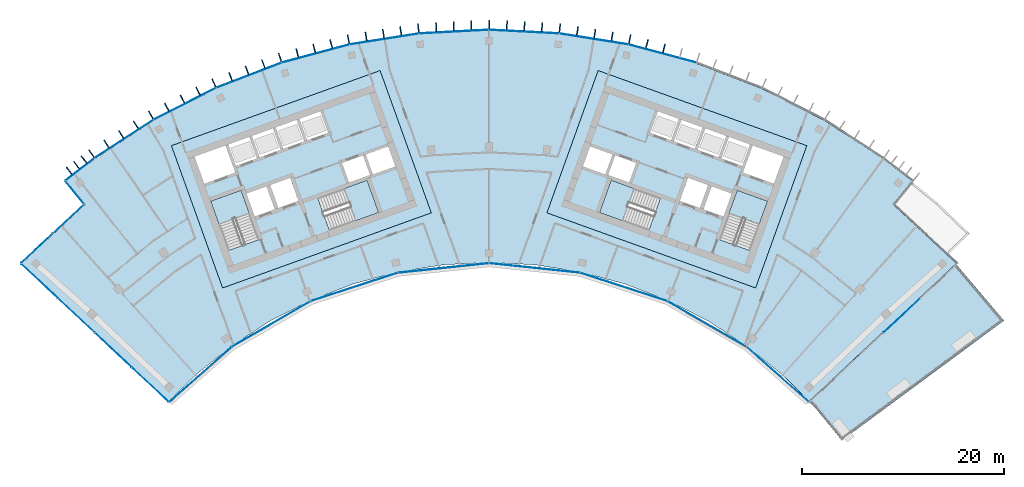
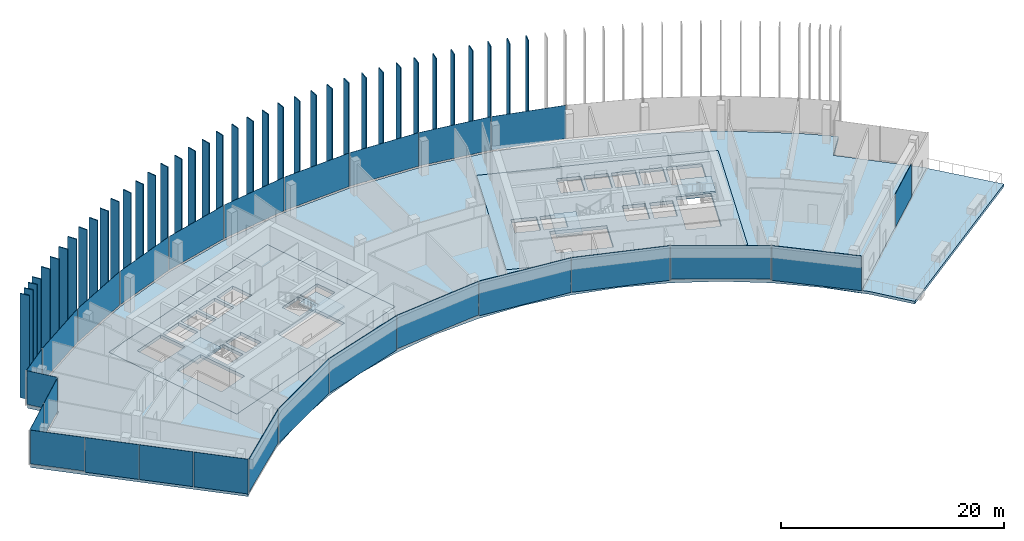
# One storey, part 11 of 19: 64 plates, 8 slabs, 10 elements without a shape of their own.
"""IFC4 building model written with IfcOpenShell, lengths in metres."""

from ifc_helpers import new_model, si_unit, direction, frame, origin, origin_2d, place, context, subcontext, project, spatial, polyline, rectangle, outline, extrude, material, layer, layer_set, type_object, element, aggregate, save


model = new_model("IFC4")

# Units and contexts
model_context = context("Model", 3, precision=1e-05, world=origin(), true_north=direction((0.0, 1.0)))
body_context = subcontext(model_context, "Body", "Model", "MODEL_VIEW")
ifc_project = project(units=[si_unit("LENGTHUNIT", "METRE"), si_unit("AREAUNIT", "SQUARE_METRE"), si_unit("VOLUMEUNIT", "CUBIC_METRE"), si_unit("PLANEANGLEUNIT", "RADIAN"), si_unit("MASSUNIT", "GRAM", prefix="KILO")], contexts=[model_context])

# Site, building, storey
site_placement = place(None, origin())
site = spatial("IfcSite", under=ifc_project, at=site_placement, CompositionType="ELEMENT")
building_placement = place(site_placement, origin())
building = spatial("IfcBuilding", under=site, at=building_placement, Name="Stone Belt Terrace Tower", CompositionType="ELEMENT")
storey_placement = place(building_placement, frame((0.0, 0.0, 258.0)))
storey = spatial("IfcBuildingStorey", under=building, at=storey_placement, Name="L62", CompositionType="ELEMENT", Elevation=258.0)

# Curtain wall, plates
ifc_material_1 = material(Name="Aluminium 6063-T6 anodised frame", Category="aluminium")
ifc_layer_1 = layer(ifc_material_1, 0.14990234375)
ifc_layer_set_1 = layer_set([ifc_layer_1], Name="CW-A unitised convex-face curtain wall")
curtain_wall_type_1 = type_object("IfcCurtainWallType", Name="CW-A unitised convex-face curtain wall", PredefinedType="NOTDEFINED", material=ifc_layer_set_1)
curtain_wall_1_placement = place(storey_placement, origin())
curtain_wall_1 = element("IfcCurtainWall", 1, at=curtain_wall_1_placement, inside=storey, type_object=curtain_wall_type_1, Name="CW-A convex face L62", PredefinedType="NOTDEFINED")
ifc_material_2 = material(Name="Clear double glazed unit")
ifc_layer_2 = layer(ifc_material_2, 0.031982421875)
ifc_layer_set_2 = layer_set([ifc_layer_2], Name="CW-A glass panel 32")
plate_type_1 = type_object("IfcPlateType", Name="CW-A glass panel 32", PredefinedType="CURTAIN_PANEL", material=ifc_layer_set_2)
plate_1_placement = place(storey_placement, frame((17.207275390625, 64.218505859375, 0.14013671875), z_axis=(0.0, 0.0, 1.0), x_axis=(-0.965925826289, 0.258819045103, 0.0)))
plate_1 = element("IfcPlate", 2, at=plate_1_placement, type_object=plate_type_1, Name="CW-A panel 5.1", PredefinedType="CURTAIN_PANEL", context=body_context, shape_type="SweptSolid", body=[
    extrude(rectangle(XDim=6.90087890625, YDim=0.031982421875, at=origin_2d()), origin(), (0.0, 0.0, 1.0), 3.659912109375),
])
plate_2_placement = place(storey_placement, frame((10.400390625, 65.665283203125, 0.14013671875), z_axis=(0.0, 0.0, 1.0), x_axis=(-0.987688340595, 0.15643446504, 0.0)))
plate_2 = element("IfcPlate", 3, at=plate_2_placement, type_object=plate_type_1, Name="CW-A panel 6.1", PredefinedType="CURTAIN_PANEL", context=body_context, shape_type="SweptSolid", body=[
    extrude(rectangle(XDim=6.90087890625, YDim=0.031982421875, at=origin_2d()), origin(), (0.0, 0.0, 1.0), 3.659912109375),
])
plate_3_placement = place(storey_placement, frame((3.4794921875, 66.392822265625, 0.14013671875), z_axis=(0.0, 0.0, 1.0), x_axis=(-0.998629534755, 0.052335956243, 0.0)))
plate_3 = element("IfcPlate", 4, at=plate_3_placement, type_object=plate_type_1, Name="CW-A panel 7.1", PredefinedType="CURTAIN_PANEL", context=body_context, shape_type="SweptSolid", body=[
    extrude(rectangle(XDim=6.90087890625, YDim=0.031982421875, at=origin_2d()), origin(), (0.0, 0.0, 1.0), 3.659912109375),
])
plate_4_placement = place(storey_placement, frame((-3.4794921875, 66.392822265625, 0.14013671875), z_axis=(0.0, 0.0, 1.0), x_axis=(-0.998629534755, -0.052335956243, 0.0)))
plate_4 = element("IfcPlate", 5, at=plate_4_placement, type_object=plate_type_1, Name="CW-A panel 8.1", PredefinedType="CURTAIN_PANEL", context=body_context, shape_type="SweptSolid", body=[
    extrude(rectangle(XDim=6.90087890625, YDim=0.031982421875, at=origin_2d()), origin(), (0.0, 0.0, 1.0), 3.659912109375),
])
plate_5_placement = place(storey_placement, frame((-10.400390625, 65.665283203125, 0.14013671875), z_axis=(0.0, 0.0, 1.0), x_axis=(-0.987688340595, -0.15643446504, 0.0)))
plate_5 = element("IfcPlate", 6, at=plate_5_placement, type_object=plate_type_1, Name="CW-A panel 9.1", PredefinedType="CURTAIN_PANEL", context=body_context, shape_type="SweptSolid", body=[
    extrude(rectangle(XDim=6.90087890625, YDim=0.031982421875, at=origin_2d()), origin(), (0.0, 0.0, 1.0), 3.659912109375),
])
plate_6_placement = place(storey_placement, frame((-17.207275390625, 64.218505859375, 0.14013671875), z_axis=(0.0, 0.0, 1.0), x_axis=(-0.965925826289, -0.258819045103, 0.0)))
plate_6 = element("IfcPlate", 7, at=plate_6_placement, type_object=plate_type_1, Name="CW-A panel 10.1", PredefinedType="CURTAIN_PANEL", context=body_context, shape_type="SweptSolid", body=[
    extrude(rectangle(XDim=6.90087890625, YDim=0.031982421875, at=origin_2d()), origin(), (0.0, 0.0, 1.0), 3.659912109375),
])
plate_7_placement = place(storey_placement, frame((-23.82568359375, 62.068115234375, 0.14013671875), z_axis=(0.0, 0.0, 1.0), x_axis=(-0.933580426497, -0.358367949545, 0.0)))
plate_7 = element("IfcPlate", 8, at=plate_7_placement, type_object=plate_type_1, Name="CW-A panel 11.1", PredefinedType="CURTAIN_PANEL", context=body_context, shape_type="SweptSolid", body=[
    extrude(rectangle(XDim=6.90087890625, YDim=0.031982421875, at=origin_2d()), origin(), (0.0, 0.0, 1.0), 3.659912109375),
])
plate_8_placement = place(storey_placement, frame((-30.18310546875, 59.237548828125, 0.14013671875), z_axis=(0.0, 0.0, 1.0), x_axis=(-0.891006524188, -0.45399049974, 0.0)))
plate_8 = element("IfcPlate", 9, at=plate_8_placement, type_object=plate_type_1, Name="CW-A panel 12.1", PredefinedType="CURTAIN_PANEL", context=body_context, shape_type="SweptSolid", body=[
    extrude(rectangle(XDim=6.90087890625, YDim=0.031982421875, at=origin_2d()), origin(), (0.0, 0.0, 1.0), 3.659912109375),
])
plate_9_placement = place(storey_placement, frame((-36.209716796875, 55.758056640625, 0.14013671875), z_axis=(0.0, 0.0, 1.0), x_axis=(-0.838670567945, -0.544639035015, 0.0)))
plate_9 = element("IfcPlate", 10, at=plate_9_placement, type_object=plate_type_1, Name="CW-A panel 13.1", PredefinedType="CURTAIN_PANEL", context=body_context, shape_type="SweptSolid", body=[
    extrude(rectangle(XDim=6.900634765625, YDim=0.031982421875, at=origin_2d()), origin(), (0.0, 0.0, 1.0), 3.659912109375),
])
plate_10_placement = place(storey_placement, frame((-40.583251953125, 52.744140625, 0.14013671875), z_axis=(0.0, 0.0, 1.0), x_axis=(-0.792693871824, -0.60961990254, 0.0)))
plate_10 = element("IfcPlate", 11, at=plate_10_placement, type_object=plate_type_1, Name="CW-A panel 14.1", PredefinedType="CURTAIN_PANEL", context=body_context, shape_type="SweptSolid", body=[
    extrude(rectangle(XDim=3.597900390625, YDim=0.031982421875, at=origin_2d()), origin(), (0.0, 0.0, 1.0), 3.659912109375),
])
aggregate(curtain_wall_1, [plate_1, plate_2, plate_3, plate_4, plate_5, plate_6, plate_7, plate_8, plate_9, plate_10])

ifc_layer_3 = layer(ifc_material_1, 0.14990234375)
ifc_layer_set_3 = layer_set([ifc_layer_3], Name="CW-B unitised concave-face curtain wall")
curtain_wall_type_2 = type_object("IfcCurtainWallType", Name="CW-B unitised concave-face curtain wall", PredefinedType="NOTDEFINED", material=ifc_layer_set_3)
curtain_wall_2_placement = place(storey_placement, origin())
curtain_wall_2 = element("IfcCurtainWall", 12, at=curtain_wall_2_placement, inside=storey, type_object=curtain_wall_type_2, Name="CW-B concave face L62", PredefinedType="NOTDEFINED")
ifc_layer_4 = layer(ifc_material_2, 0.030029296875)
ifc_layer_set_4 = layer_set([ifc_layer_4], Name="CW-B glass panel 30")
plate_type_2 = type_object("IfcPlateType", Name="CW-B glass panel 30", PredefinedType="CURTAIN_PANEL", material=ifc_layer_set_4)
plate_11_placement = place(storey_placement, frame((-28.624755859375, 32.39404296875, 0.1201171875), z_axis=(0.0, 0.0, 1.0), x_axis=(0.749658646805, 0.661824684694, 0.0)))
plate_11 = element("IfcPlate", 13, at=plate_11_placement, type_object=plate_type_2, Name="CW-B panel 1.1", PredefinedType="CURTAIN_PANEL", context=body_context, shape_type="SweptSolid", body=[
    extrude(rectangle(XDim=8.2060546875, YDim=0.030029296875, at=origin_2d()), origin(), (0.0, 0.0, 1.0), 3.679931640625),
])
plate_12_placement = place(storey_placement, frame((-21.59375, 37.400634765625, 0.0), z_axis=(0.0, 0.0, 1.0), x_axis=(0.866025403784, 0.5, 0.0)))
plate_12 = element("IfcPlate", 14, at=plate_12_placement, type_object=plate_type_2, Name="CW-B panel 2.1", PredefinedType="CURTAIN_PANEL", context=body_context, shape_type="SweptSolid", body=[
    extrude(rectangle(XDim=9.013427734375, YDim=0.030029296875, at=origin_2d()), origin(), (0.0, 0.0, 1.0), 3.800048828125),
])
plate_13_placement = place(storey_placement, frame((-13.345458984375, 41.072998046875, 0.0), z_axis=(0.0, 0.0, 1.0), x_axis=(0.951056516295, 0.309016994375, 0.0)))
plate_13 = element("IfcPlate", 15, at=plate_13_placement, type_object=plate_type_2, Name="CW-B panel 3.1", PredefinedType="CURTAIN_PANEL", context=body_context, shape_type="SweptSolid", body=[
    extrude(rectangle(XDim=9.0126953125, YDim=0.030029296875, at=origin_2d()), origin(), (0.0, 0.0, 1.0), 3.800048828125),
])
plate_14_placement = place(storey_placement, frame((-4.51416015625, 42.9501953125, 0.1201171875), z_axis=(0.0, 0.0, 1.0), x_axis=(0.994521895368, 0.104528463268, 0.0)))
plate_14 = element("IfcPlate", 16, at=plate_14_placement, type_object=plate_type_2, Name="CW-B panel 4.1", PredefinedType="CURTAIN_PANEL", context=body_context, shape_type="SweptSolid", body=[
    extrude(rectangle(XDim=9.0126953125, YDim=0.030029296875, at=origin_2d()), origin(), (0.0, 0.0, 1.0), 3.679931640625),
])
plate_15_placement = place(storey_placement, frame((4.51416015625, 42.9501953125, 0.0), z_axis=(0.0, 0.0, 1.0), x_axis=(0.994521895368, -0.104528463268, 0.0)))
plate_15 = element("IfcPlate", 17, at=plate_15_placement, type_object=plate_type_2, Name="CW-B panel 5.1", PredefinedType="CURTAIN_PANEL", context=body_context, shape_type="SweptSolid", body=[
    extrude(rectangle(XDim=9.0126953125, YDim=0.030029296875, at=origin_2d()), origin(), (0.0, 0.0, 1.0), 3.800048828125),
])
plate_16_placement = place(storey_placement, frame((13.345458984375, 41.072998046875, 0.0), z_axis=(0.0, 0.0, 1.0), x_axis=(0.951056516295, -0.309016994375, 0.0)))
plate_16 = element("IfcPlate", 18, at=plate_16_placement, type_object=plate_type_2, Name="CW-B panel 6.1", PredefinedType="CURTAIN_PANEL", context=body_context, shape_type="SweptSolid", body=[
    extrude(rectangle(XDim=9.0126953125, YDim=0.030029296875, at=origin_2d()), origin(), (0.0, 0.0, 1.0), 3.800048828125),
])
plate_17_placement = place(storey_placement, frame((21.59375, 37.400634765625, 0.1201171875), z_axis=(0.0, 0.0, 1.0), x_axis=(0.866025403784, -0.5, 0.0)))
plate_17 = element("IfcPlate", 19, at=plate_17_placement, type_object=plate_type_2, Name="CW-B panel 7.1", PredefinedType="CURTAIN_PANEL", context=body_context, shape_type="SweptSolid", body=[
    extrude(rectangle(XDim=9.013427734375, YDim=0.030029296875, at=origin_2d()), origin(), (0.0, 0.0, 1.0), 3.679931640625),
])
plate_18_placement = place(storey_placement, frame((28.624755859375, 32.39404296875, 0.0), z_axis=(0.0, 0.0, 1.0), x_axis=(0.749658646805, -0.661824684694, 0.0)))
plate_18 = element("IfcPlate", 20, at=plate_18_placement, type_object=plate_type_2, Name="CW-B panel 8.1", PredefinedType="CURTAIN_PANEL", context=body_context, shape_type="SweptSolid", body=[
    extrude(rectangle(XDim=8.2060546875, YDim=0.030029296875, at=origin_2d()), origin(), (0.0, 0.0, 1.0), 3.800048828125),
])
aggregate(curtain_wall_2, [plate_11, plate_12, plate_13, plate_14, plate_15, plate_16, plate_17, plate_18])

# Curtain wall, plate
ifc_layer_5 = layer(ifc_material_1, 0.14990234375)
ifc_layer_set_5 = layer_set([ifc_layer_5], Name="CW-C stick curtain wall, horn ends and notches")
curtain_wall_type_3 = type_object("IfcCurtainWallType", Name="CW-C stick curtain wall, horn ends and notches", PredefinedType="NOTDEFINED", material=ifc_layer_set_5)
curtain_wall_3_placement = place(storey_placement, origin())
curtain_wall_3 = element("IfcCurtainWall", 21, at=curtain_wall_3_placement, inside=storey, type_object=curtain_wall_type_3, Name="CW-C notch face L62", PredefinedType="NOTDEFINED")
ifc_layer_6 = layer(ifc_material_2, 0.028076171875)
ifc_layer_set_6 = layer_set([ifc_layer_6], Name="CW-C glass panel 28")
plate_type_3 = type_object("IfcPlateType", Name="CW-C glass panel 28", PredefinedType="CURTAIN_PANEL", material=ifc_layer_set_6)
plate_19_placement = place(storey_placement, frame((-41.119140625, 50.43505859375, 0.1201171875), z_axis=(0.0, 0.0, 1.0), x_axis=(0.631001485542, -0.775781622136, 0.0)))
plate_19 = element("IfcPlate", 22, at=plate_19_placement, type_object=plate_type_3, Name="CW-C panel 1.1", PredefinedType="CURTAIN_PANEL", context=body_context, shape_type="SweptSolid", body=[
    extrude(rectangle(XDim=2.859130859375, YDim=0.028076171875, at=origin_2d()), origin(), (0.0, 0.0, 1.0), 3.679931640625),
])
aggregate(curtain_wall_3, [plate_19])

# Curtain wall, plates
curtain_wall_4_placement = place(storey_placement, origin())
curtain_wall_4 = element("IfcCurtainWall", 23, at=curtain_wall_4_placement, inside=storey, type_object=curtain_wall_type_3, Name="CW-C notch face L62", PredefinedType="NOTDEFINED")
plate_20_placement = place(storey_placement, frame((-41.731201171875, 47.814208984375, 0.1201171875), z_axis=(0.0, 0.0, 1.0), x_axis=(-0.731339333871, -0.682013767261, 0.0)))
plate_20 = element("IfcPlate", 24, at=plate_20_placement, type_object=plate_type_3, Name="CW-C panel 1.1", PredefinedType="CURTAIN_PANEL", context=body_context, shape_type="SweptSolid", body=[
    extrude(rectangle(XDim=4.12060546875, YDim=0.028076171875, at=origin_2d()), origin(), (0.0, 0.0, 1.0), 3.679931640625),
])
plate_21_placement = place(storey_placement, frame((-44.8427734375, 44.91259765625, 0.0), z_axis=(0.0, 0.0, 1.0), x_axis=(-0.731339333871, -0.682013767261, 0.0)))
plate_21 = element("IfcPlate", 25, at=plate_21_placement, type_object=plate_type_3, Name="CW-C panel 2.1", PredefinedType="CURTAIN_PANEL", context=body_context, shape_type="SweptSolid", body=[
    extrude(rectangle(XDim=4.268798828125, YDim=0.028076171875, at=origin_2d()), origin(), (0.0, 0.0, 1.0), 3.800048828125),
])
aggregate(curtain_wall_4, [plate_20, plate_21])

curtain_wall_5_placement = place(storey_placement, origin())
curtain_wall_5 = element("IfcCurtainWall", 26, at=curtain_wall_5_placement, inside=storey, type_object=curtain_wall_type_3, Name="CW-C end face L62", PredefinedType="NOTDEFINED")
plate_22_placement = place(storey_placement, frame((-44.588134765625, 41.65380859375, 0.1201171875), z_axis=(0.0, 0.0, 1.0), x_axis=(0.729904219708, -0.683549434973, 0.0)))
plate_22 = element("IfcPlate", 27, at=plate_22_placement, type_object=plate_type_3, Name="CW-C panel 1.1", PredefinedType="CURTAIN_PANEL", context=body_context, shape_type="SweptSolid", body=[
    extrude(rectangle(XDim=4.974853515625, YDim=0.028076171875, at=origin_2d()), origin(), (0.0, 0.0, 1.0), 3.679931640625),
])
plate_23_placement = place(storey_placement, frame((-40.92578125, 38.22412109375, 0.0), z_axis=(0.0, 0.0, 1.0), x_axis=(0.729904219708, -0.683549434973, 0.0)))
plate_23 = element("IfcPlate", 28, at=plate_23_placement, type_object=plate_type_3, Name="CW-C panel 2.1", PredefinedType="CURTAIN_PANEL", context=body_context, shape_type="SweptSolid", body=[
    extrude(rectangle(XDim=4.93994140625, YDim=0.028076171875, at=origin_2d()), origin(), (0.0, 0.0, 1.0), 3.800048828125),
])
plate_24_placement = place(storey_placement, frame((-37.2763671875, 34.806396484375, 0.0), z_axis=(0.0, 0.0, 1.0), x_axis=(0.729904219708, -0.683549434973, 0.0)))
plate_24 = element("IfcPlate", 29, at=plate_24_placement, type_object=plate_type_3, Name="CW-C panel 3.1", PredefinedType="CURTAIN_PANEL", context=body_context, shape_type="SweptSolid", body=[
    extrude(rectangle(XDim=4.93994140625, YDim=0.028076171875, at=origin_2d()), origin(), (0.0, 0.0, 1.0), 3.800048828125),
])
plate_25_placement = place(storey_placement, frame((-33.617431640625, 31.3798828125, 0.0), z_axis=(0.0, 0.0, 1.0), x_axis=(0.729904219708, -0.683549434973, 0.0)))
plate_25 = element("IfcPlate", 30, at=plate_25_placement, type_object=plate_type_3, Name="CW-C panel 4.1", PredefinedType="CURTAIN_PANEL", context=body_context, shape_type="SweptSolid", body=[
    extrude(rectangle(XDim=4.965576171875, YDim=0.028076171875, at=origin_2d()), origin(), (0.0, 0.0, 1.0), 3.800048828125),
])
aggregate(curtain_wall_5, [plate_22, plate_23, plate_24, plate_25])

# Curtain wall, plate
ifc_layer_7 = layer(ifc_material_1, 0.14990234375)
ifc_layer_set_7 = layer_set([ifc_layer_7], Name="CW-E conservatory and damper hall curtain wall")
curtain_wall_type_4 = type_object("IfcCurtainWallType", Name="CW-E conservatory and damper hall curtain wall", PredefinedType="NOTDEFINED", material=ifc_layer_set_7)
curtain_wall_6_placement = place(storey_placement, origin())
curtain_wall_6 = element("IfcCurtainWall", 31, at=curtain_wall_6_placement, inside=storey, type_object=curtain_wall_type_4, Name="CW-E end face L62", PredefinedType="NOTDEFINED")
ifc_layer_8 = layer(ifc_material_2, 0.035888671875)
ifc_layer_set_8 = layer_set([ifc_layer_8], Name="CW-E glass panel 36")
plate_type_4 = type_object("IfcPlateType", Name="CW-E glass panel 36", PredefinedType="CURTAIN_PANEL", material=ifc_layer_set_8)
plate_26_placement = place(storey_placement, frame((40.92578125, 38.22412109375, 0.150146484375), z_axis=(0.0, 0.0, 1.0), x_axis=(0.729904219708, 0.683549434973, 0.0)))
plate_26 = element("IfcPlate", 32, at=plate_26_placement, type_object=plate_type_4, Name="CW-E panel 3.1", PredefinedType="CURTAIN_PANEL", context=body_context, shape_type="SweptSolid", body=[
    extrude(rectangle(XDim=4.919921875, YDim=0.035888671875, at=origin_2d()), origin(), (0.0, 0.0, 1.0), 3.64990234375),
])
aggregate(curtain_wall_6, [plate_26])

# Slabs
ifc_material_3 = material(Name="Concrete B40", Category="concrete")
ifc_layer_9 = layer(ifc_material_3, 0.35009765625)
ifc_layer_set_9 = layer_set([ifc_layer_9], Name="Core floor slab 350")
slab_type_1 = type_object("IfcSlabType", Name="Core floor slab 350", PredefinedType="FLOOR", material=ifc_layer_set_9)
slab_1_placement = place(storey_placement, frame((0.0, 0.0, -0.35009765625)))
element("IfcSlab", 33, at=slab_1_placement, inside=storey, type_object=slab_type_1, Name="Core A floor L62", PredefinedType="FLOOR", context=body_context, shape_type="SweptSolid", body=[
    extrude(outline(polyline([(-26.43505859375, 40.968994140625), (-5.735107421875, 48.4189453125), (-10.81396484375, 62.531982421875), (-31.513916015625, 55.0830078125), (-26.43505859375, 40.968994140625)]), holes=[polyline([(-24.60791015625, 50.659912109375), (-22.847900390625, 45.76806640625), (-25.85888671875, 44.68408203125), (-27.618896484375, 49.575927734375), (-24.60791015625, 50.659912109375)]), polyline([(-22.0869140625, 51.035888671875), (-21.27392578125, 48.778076171875), (-23.25, 48.06689453125), (-24.06298828125, 50.324951171875), (-22.0869140625, 51.035888671875)]), polyline([(-19.735107421875, 51.883056640625), (-18.922119140625, 49.6240234375), (-20.89794921875, 48.9130859375), (-21.7109375, 51.1708984375), (-19.735107421875, 51.883056640625)]), polyline([(-29.2109375, 53.9990234375), (-26.153076171875, 55.09912109375), (-25.18798828125, 52.41796875), (-28.24609375, 51.31689453125), (-29.2109375, 53.9990234375)]), polyline([(-23.801025390625, 55.946044921875), (-23.0390625, 53.8291015625), (-25.10888671875, 53.083984375), (-25.87109375, 55.200927734375), (-23.801025390625, 55.946044921875)]), polyline([(-23.51806640625, 56.047119140625), (-21.447998046875, 56.7919921875), (-20.68603515625, 54.675048828125), (-22.756103515625, 53.929931640625), (-23.51806640625, 56.047119140625)]), polyline([(-15.846923828125, 46.69189453125), (-16.998046875, 49.89208984375), (-12.10595703125, 51.652099609375), (-10.955078125, 48.452880859375), (-15.846923828125, 46.69189453125)]), polyline([(-11.847900390625, 52.116943359375), (-11.864990234375, 52.1640625), (-13.887939453125, 51.43603515625), (-14.58203125, 53.364990234375), (-12.511962890625, 54.110107421875), (-11.801025390625, 52.134033203125), (-11.847900390625, 52.116943359375)]), polyline([(-10.01904296875, 55.007080078125), (-9.30810546875, 53.031005859375), (-11.51904296875, 52.235107421875), (-12.22998046875, 54.2109375), (-10.01904296875, 55.007080078125)]), polyline([(-19.095947265625, 57.638916015625), (-18.333984375, 55.52197265625), (-20.404052734375, 54.777099609375), (-21.166015625, 56.89404296875), (-19.095947265625, 57.638916015625)]), polyline([(-16.743896484375, 58.485107421875), (-15.98193359375, 56.367919921875), (-18.052001953125, 55.623046875), (-18.81396484375, 57.739990234375), (-16.743896484375, 58.485107421875)])]), origin(), (0.0, 0.0, 1.0), 0.35009765625),
])
slab_2_placement = place(storey_placement, frame((0.0, 0.0, -0.35009765625)))
element("IfcSlab", 34, at=slab_2_placement, inside=storey, type_object=slab_type_1, Name="Core B floor L62", PredefinedType="FLOOR", context=body_context, shape_type="SweptSolid", body=[
    extrude(outline(polyline([(26.43505859375, 40.968994140625), (31.513916015625, 55.0830078125), (10.81396484375, 62.531982421875), (5.735107421875, 48.4189453125), (26.43505859375, 40.968994140625)]), holes=[polyline([(12.10595703125, 51.652099609375), (16.998046875, 49.89208984375), (15.846923828125, 46.69189453125), (10.955078125, 48.452880859375), (12.10595703125, 51.652099609375)]), polyline([(20.89794921875, 48.9130859375), (18.922119140625, 49.6240234375), (19.735107421875, 51.883056640625), (21.7109375, 51.1708984375), (20.89794921875, 48.9130859375)]), polyline([(11.801025390625, 52.134033203125), (12.511962890625, 54.110107421875), (14.58203125, 53.364990234375), (13.887939453125, 51.43603515625), (11.864990234375, 52.1640625), (11.847900390625, 52.116943359375), (11.801025390625, 52.134033203125)]), polyline([(9.30810546875, 53.031005859375), (10.01904296875, 55.007080078125), (12.22998046875, 54.2109375), (11.51904296875, 52.235107421875), (9.30810546875, 53.031005859375)]), polyline([(19.095947265625, 57.638916015625), (21.166015625, 56.89404296875), (20.404052734375, 54.777099609375), (18.333984375, 55.52197265625), (19.095947265625, 57.638916015625)]), polyline([(15.98193359375, 56.367919921875), (16.743896484375, 58.485107421875), (18.81396484375, 57.739990234375), (18.052001953125, 55.623046875), (15.98193359375, 56.367919921875)]), polyline([(25.85888671875, 44.68408203125), (22.847900390625, 45.76806640625), (24.60791015625, 50.659912109375), (27.618896484375, 49.575927734375), (25.85888671875, 44.68408203125)]), polyline([(21.27392578125, 48.778076171875), (22.0869140625, 51.035888671875), (24.06298828125, 50.324951171875), (23.25, 48.06689453125), (21.27392578125, 48.778076171875)]), polyline([(26.153076171875, 55.09912109375), (29.2109375, 53.9990234375), (28.24609375, 51.31689453125), (25.18798828125, 52.41796875), (26.153076171875, 55.09912109375)]), polyline([(23.801025390625, 55.946044921875), (25.87109375, 55.200927734375), (25.10888671875, 53.083984375), (23.0390625, 53.8291015625), (23.801025390625, 55.946044921875)]), polyline([(21.447998046875, 56.7919921875), (23.51806640625, 56.047119140625), (22.756103515625, 53.929931640625), (20.68603515625, 54.675048828125), (21.447998046875, 56.7919921875)])]), origin(), (0.0, 0.0, 1.0), 0.35009765625),
])
ifc_layer_10 = layer(ifc_material_3, 0.35009765625)
ifc_layer_set_10 = layer_set([ifc_layer_10], Name="Floor slab 350 B40")
slab_type_2 = type_object("IfcSlabType", Name="Floor slab 350 B40", PredefinedType="FLOOR", material=ifc_layer_set_10)
slab_3_placement = place(storey_placement, frame((0.0, 0.0, -0.35009765625)))
element("IfcSlab", 35, at=slab_3_placement, inside=storey, type_object=slab_type_2, Name="Floor slab L62", PredefinedType="FLOOR", context=body_context, shape_type="SweptSolid", body=[
    extrude(outline(polyline([(-40.068603515625, 49.26220703125), (-41.961669921875, 51.589599609375), (-39.087646484375, 53.799560546875), (-33.25, 57.5908203125), (-27.048095703125, 60.750732421875), (-20.549560546875, 63.245361328125), (-13.826171875, 65.046875), (-6.951171875, 66.1357421875), (0.0, 66.5), (6.951171875, 66.1357421875), (13.826171875, 65.046875), (20.549560546875, 63.245361328125), (27.048095703125, 60.750732421875), (33.25, 57.5908203125), (39.087646484375, 53.799560546875), (41.961669921875, 51.589599609375), (40.068603515625, 49.26220703125), (46.348876953125, 43.405517578125), (31.750732421875, 29.734375), (29.107177734375, 32.326904296875), (25.568603515625, 35.192138671875), (21.75, 37.672119140625), (17.693115234375, 39.7392578125), (13.442138671875, 41.37109375), (9.044189453125, 42.54931640625), (4.547119140625, 43.26171875), (0.0, 43.5), (-4.547119140625, 43.26171875), (-9.044189453125, 42.54931640625), (-13.442138671875, 41.37109375), (-17.693115234375, 39.7392578125), (-21.75, 37.672119140625), (-25.568603515625, 35.192138671875), (-29.107177734375, 32.326904296875), (-31.750732421875, 29.734375), (-46.348876953125, 43.405517578125), (-40.068603515625, 49.26220703125)]), holes=[polyline([(-10.81396484375, 62.532470703125), (-31.51416015625, 55.082763671875), (-26.434814453125, 40.968994140625), (-5.734619140625, 48.418701171875), (-10.81396484375, 62.532470703125)]), polyline([(26.434814453125, 40.968994140625), (31.51416015625, 55.082763671875), (10.81396484375, 62.532470703125), (5.734619140625, 48.418701171875), (26.434814453125, 40.968994140625)])]), origin(), (0.0, 0.0, 1.0), 0.35009765625),
])

# Stair, slab
stair_type = type_object("IfcStairType", Name="Exit stair 1500", PredefinedType="HALF_TURN_STAIR", material=ifc_material_3)
stair_1_placement = place(storey_placement, origin())
stair_1 = element("IfcStair", 36, at=stair_1_placement, inside=storey, type_object=stair_type, Name="L62 Exit stair 1 core A", PredefinedType="HALF_TURN_STAIR")
ifc_layer_11 = layer(ifc_material_3, 0.199951171875)
ifc_layer_set_11 = layer_set([ifc_layer_11], Name="Stair landing 200")
slab_type_3 = type_object("IfcSlabType", Name="Stair landing 200", PredefinedType="LANDING", material=ifc_layer_set_11)
slab_4_placement = place(storey_placement, frame((0.0, 0.0, 1.699951171875)))
slab_4 = element("IfcSlab", 37, at=slab_4_placement, type_object=slab_type_3, Name="ST1A landing 1", PredefinedType="LANDING", context=body_context, shape_type="SweptSolid", body=[
    extrude(outline(polyline([(-23.79541015625, 48.40087890625), (-24.6083984375, 50.659912109375), (-27.619384765625, 49.576171875), (-26.806396484375, 47.3173828125), (-23.79541015625, 48.40087890625)])), origin(), (0.0, 0.0, 1.0), 0.199951171875),
])
aggregate(stair_1, [slab_4])

stair_2_placement = place(storey_placement, origin())
stair_2 = element("IfcStair", 38, at=stair_2_placement, inside=storey, type_object=stair_type, Name="L62 Exit stair 2 core A", PredefinedType="HALF_TURN_STAIR")
slab_5_placement = place(storey_placement, frame((0.0, 0.0, 1.699951171875)))
slab_5 = element("IfcSlab", 39, at=slab_5_placement, type_object=slab_type_3, Name="ST2A landing 1", PredefinedType="LANDING", context=body_context, shape_type="SweptSolid", body=[
    extrude(outline(polyline([(-13.213623046875, 47.64013671875), (-10.95458984375, 48.453125), (-12.10595703125, 51.652099609375), (-14.36474609375, 50.839111328125), (-13.213623046875, 47.64013671875)])), origin(), (0.0, 0.0, 1.0), 0.199951171875),
])
aggregate(stair_2, [slab_5])

stair_3_placement = place(storey_placement, origin())
stair_3 = element("IfcStair", 40, at=stair_3_placement, inside=storey, type_object=stair_type, Name="L62 Exit stair 1 core B", PredefinedType="HALF_TURN_STAIR")
slab_6_placement = place(storey_placement, frame((0.0, 0.0, 1.699951171875)))
slab_6 = element("IfcSlab", 41, at=slab_6_placement, type_object=slab_type_3, Name="ST1B landing 1", PredefinedType="LANDING", context=body_context, shape_type="SweptSolid", body=[
    extrude(outline(polyline([(26.806396484375, 47.3173828125), (27.619384765625, 49.576171875), (24.6083984375, 50.659912109375), (23.79541015625, 48.40087890625), (26.806396484375, 47.3173828125)])), origin(), (0.0, 0.0, 1.0), 0.199951171875),
])
aggregate(stair_3, [slab_6])

stair_4_placement = place(storey_placement, origin())
stair_4 = element("IfcStair", 42, at=stair_4_placement, inside=storey, type_object=stair_type, Name="L62 Exit stair 2 core B", PredefinedType="HALF_TURN_STAIR")
slab_7_placement = place(storey_placement, frame((0.0, 0.0, 1.699951171875)))
slab_7 = element("IfcSlab", 43, at=slab_7_placement, type_object=slab_type_3, Name="ST2B landing 1", PredefinedType="LANDING", context=body_context, shape_type="SweptSolid", body=[
    extrude(outline(polyline([(14.36474609375, 50.839111328125), (12.10595703125, 51.652099609375), (10.95458984375, 48.453125), (13.213623046875, 47.64013671875), (14.36474609375, 50.839111328125)])), origin(), (0.0, 0.0, 1.0), 0.199951171875),
])
aggregate(stair_4, [slab_7])

# Slab
ifc_layer_12 = layer(ifc_material_3, 0.300048828125)
ifc_layer_set_12 = layer_set([ifc_layer_12], Name="Terrace slab 300 B40")
slab_type_4 = type_object("IfcSlabType", Name="Terrace slab 300 B40", PredefinedType="FLOOR", material=ifc_layer_set_12)
slab_8_placement = place(storey_placement, frame((0.0, 0.0, -0.300048828125)))
element("IfcSlab", 44, at=slab_8_placement, inside=storey, type_object=slab_type_4, Name="Terrace slab L62-sky_garden-1", PredefinedType="FLOOR", context=body_context, shape_type="SweptSolid", body=[
    extrude(outline(polyline([(51.074951171875, 37.730712890625), (46.297607421875, 43.357421875), (31.750732421875, 29.734375), (29.391845703125, 32.047607421875), (29.38916015625, 32.044921875), (32.326904296875, 29.107177734375), (34.98828125, 25.846923828125), (51.074951171875, 37.730712890625)])), origin(), (0.0, 0.0, 1.0), 0.300048828125),
])

# Plates
ifc_material_4 = material(Name="Terracotta coloured glazed ceramic", Category="masonry")
ifc_layer_13 = layer(ifc_material_4, 0.10009765625)
ifc_layer_set_13 = layer_set([ifc_layer_13], Name="Terracotta fin 100 x 900")
plate_type_5 = type_object("IfcPlateType", Name="Terracotta fin 100 x 900", PredefinedType="SHEET", material=ifc_layer_set_13)
for number, where, z_axis, x_axis, name in (
    (45, (17.34326171875, 64.7255859375, 0.0), (0.0, 0.0, 1.0), (0.258819045103, 0.965925826289, 0.0), "FIN L62 5.3"),
    (46, (15.660400390625, 65.176513671875, 0.0), (0.0, 0.0, 1.0), (0.258819045103, 0.965925826289, 0.0), "FIN L62 5.4"),
    (47, (13.950927734375, 65.6337890625, 0.0), (0.0, 0.0, 1.0), (0.207911690818, 0.978147600734, 0.0), "FIN L62 6.1"),
    (48, (12.203125, 65.911376953125, 0.0), (0.0, 0.0, 1.0), (0.15643446504, 0.987688340595, 0.0), "FIN L62 6.2"),
    (49, (10.482421875, 66.183837890625, 0.0), (0.0, 0.0, 1.0), (0.15643446504, 0.987688340595, 0.0), "FIN L62 6.3"),
    (50, (8.76171875, 66.456298828125, 0.0), (0.0, 0.0, 1.0), (0.15643446504, 0.987688340595, 0.0), "FIN L62 6.4"),
    (51, (7.013916015625, 66.732421875, 0.0), (0.0, 0.0, 1.0), (0.104528463268, 0.994521895368, 0.0), "FIN L62 7.1"),
    (52, (5.246826171875, 66.825927734375, 0.0), (0.0, 0.0, 1.0), (0.052335956243, 0.998629534755, 0.0), "FIN L62 7.2"),
    (53, (3.507080078125, 66.9169921875, 0.0), (0.0, 0.0, 1.0), (0.052335956243, 0.998629534755, 0.0), "FIN L62 7.3"),
    (54, (1.767333984375, 67.00830078125, 0.0), (0.0, 0.0, 1.0), (0.052335956243, 0.998629534755, 0.0), "FIN L62 7.4"),
    (55, (0.0, 67.10009765625, 0.0), (0.0, 0.0, 1.0), (0.0, 1.0, 0.0), "FIN L62 8.1"),
    (56, (-1.767333984375, 67.00830078125, 0.0), (0.0, 0.0, 1.0), (-0.052335956243, 0.998629534755, 0.0), "FIN L62 8.2"),
    (57, (-3.507080078125, 66.9169921875, 0.0), (0.0, 0.0, 1.0), (-0.052335956243, 0.998629534755, 0.0), "FIN L62 8.3"),
    (58, (-5.246826171875, 66.825927734375, 0.0), (0.0, 0.0, 1.0), (-0.052335956243, 0.998629534755, 0.0), "FIN L62 8.4"),
    (59, (-7.013916015625, 66.732421875, 0.0), (0.0, 0.0, 1.0), (-0.104528463268, 0.994521895368, 0.0), "FIN L62 9.1"),
    (60, (-8.76171875, 66.456298828125, 0.0), (0.0, 0.0, 1.0), (-0.15643446504, 0.987688340595, 0.0), "FIN L62 9.2"),
    (61, (-10.482421875, 66.183837890625, 0.0), (0.0, 0.0, 1.0), (-0.15643446504, 0.987688340595, 0.0), "FIN L62 9.3"),
    (62, (-12.203125, 65.911376953125, 0.0), (0.0, 0.0, 1.0), (-0.15643446504, 0.987688340595, 0.0), "FIN L62 9.4"),
    (63, (-13.950927734375, 65.6337890625, 0.0), (0.0, 0.0, 1.0), (-0.207911690818, 0.978147600734, 0.0), "FIN L62 10.1"),
    (64, (-15.660400390625, 65.176513671875, 0.0), (0.0, 0.0, 1.0), (-0.258819045103, 0.965925826289, 0.0), "FIN L62 10.2"),
    (65, (-17.34326171875, 64.7255859375, 0.0), (0.0, 0.0, 1.0), (-0.258819045103, 0.965925826289, 0.0), "FIN L62 10.3"),
    (66, (-19.02587890625, 64.274658203125, 0.0), (0.0, 0.0, 1.0), (-0.258819045103, 0.965925826289, 0.0), "FIN L62 10.4"),
    (67, (-20.735107421875, 63.81591796875, 0.0), (0.0, 0.0, 1.0), (-0.309016994375, 0.951056516295, 0.0), "FIN L62 11.1"),
    (68, (-22.387451171875, 63.182373046875, 0.0), (0.0, 0.0, 1.0), (-0.358367949545, 0.933580426497, 0.0), "FIN L62 11.2"),
    (69, (-24.013916015625, 62.55810546875, 0.0), (0.0, 0.0, 1.0), (-0.358367949545, 0.933580426497, 0.0), "FIN L62 11.3"),
    (70, (-25.64013671875, 61.933837890625, 0.0), (0.0, 0.0, 1.0), (-0.358367949545, 0.933580426497, 0.0), "FIN L62 11.4"),
    (71, (-27.2919921875, 61.299072265625, 0.0), (0.0, 0.0, 1.0), (-0.406736643076, 0.913545457643, 0.0), "FIN L62 12.1"),
    (72, (-28.869140625, 60.496337890625, 0.0), (0.0, 0.0, 1.0), (-0.45399049974, 0.891006524188, 0.0), "FIN L62 12.2"),
    (73, (-30.42138671875, 59.705322265625, 0.0), (0.0, 0.0, 1.0), (-0.45399049974, 0.891006524188, 0.0), "FIN L62 12.3"),
    (74, (-31.9736328125, 58.914306640625, 0.0), (0.0, 0.0, 1.0), (-0.45399049974, 0.891006524188, 0.0), "FIN L62 12.4"),
    (75, (-33.550048828125, 58.1103515625, 0.0), (0.0, 0.0, 1.0), (-0.5, 0.866025403784, 0.0), "FIN L62 13.1"),
    (76, (-35.034423828125, 57.147216796875, 0.0), (0.0, 0.0, 1.0), (-0.544639035015, 0.838670567945, 0.0), "FIN L62 13.2"),
    (77, (-36.495361328125, 56.19873046875, 0.0), (0.0, 0.0, 1.0), (-0.544639035015, 0.838670567945, 0.0), "FIN L62 13.3"),
    (78, (-37.9560546875, 55.25, 0.0), (0.0, 0.0, 1.0), (-0.544639035015, 0.838670567945, 0.0), "FIN L62 13.4"),
    (79, (-39.434326171875, 54.28955078125, 0.0), (0.0, 0.0, 1.0), (-0.577587125789, 0.816329046477, 0.0), "FIN L62 14.1"),
    (80, (-40.185546875, 53.71240234375, 0.0), (0.0, 0.0, 1.0), (-0.60961990254, 0.792693871824, 0.0), "FIN L62 14.2"),
    (81, (-40.919677734375, 53.147705078125, 0.0), (0.0, 0.0, 1.0), (-0.60961990254, 0.792693871824, 0.0), "FIN L62 14.3"),
    (82, (-41.654052734375, 52.582763671875, 0.0), (0.0, 0.0, 1.0), (-0.60961990254, 0.792693871824, 0.0), "FIN L62 14.4"),
):
    element("IfcPlate", number, at=place(storey_placement, frame(where, z_axis=z_axis, x_axis=x_axis)), inside=storey, type_object=plate_type_5, Name=name, PredefinedType="SHEET", context=body_context, shape_type="SweptSolid", body=[
        extrude(rectangle(XDim=0.89990234375, YDim=0.10009765625, at=origin_2d()), origin(), (0.0, 0.0, 1.0), 11.39990234375),
    ])

save(model, "model.ifc")
